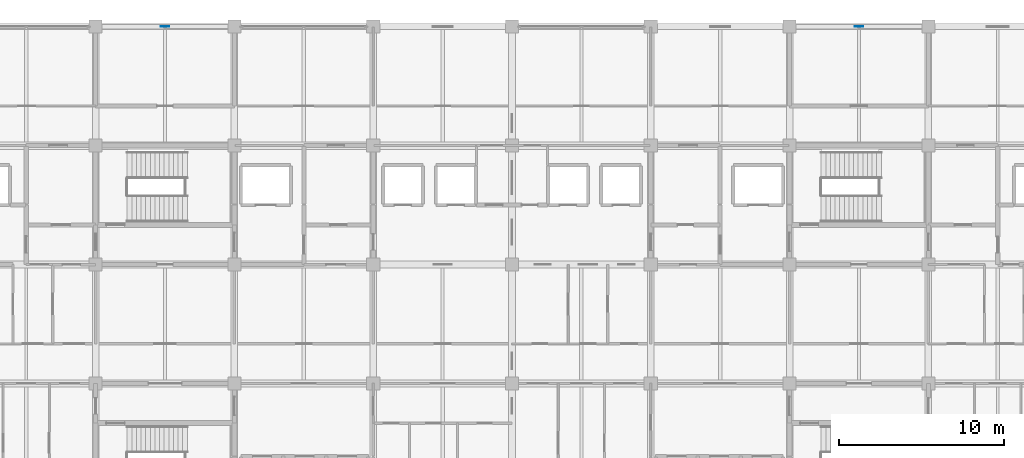
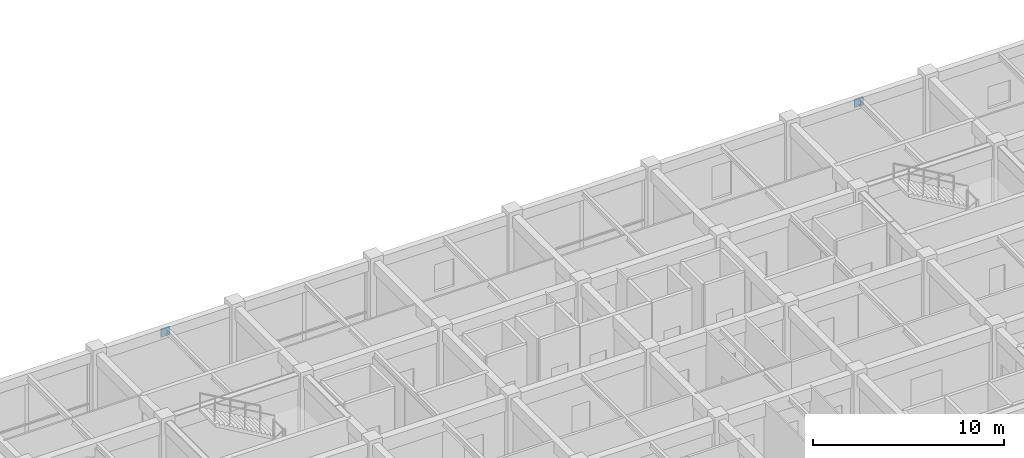
# One storey, part 14 of 30: 2 plates.
"""IFC4 building model written with IfcOpenShell, lengths in metres."""

from ifc_helpers import new_model, si_unit, direction, frame, origin, origin_2d, place, context, subcontext, project, spatial, rectangle, extrude, material, layer, layer_set, type_object, element, save


model = new_model("IFC4")

# Units and contexts
model_context = context("Model", 3, precision=1e-05, world=origin(), true_north=direction((0.0, 1.0)))
body_context = subcontext(model_context, "Body", "Model", "MODEL_VIEW")
ifc_project = project(units=[si_unit("LENGTHUNIT", "METRE"), si_unit("AREAUNIT", "SQUARE_METRE"), si_unit("VOLUMEUNIT", "CUBIC_METRE"), si_unit("PLANEANGLEUNIT", "RADIAN"), si_unit("MASSUNIT", "GRAM", prefix="KILO")], contexts=[model_context])

# Site, building, storey
site_placement = place(None, origin())
site = spatial("IfcSite", under=ifc_project, at=site_placement, CompositionType="ELEMENT")
building_placement = place(site_placement, origin())
building = spatial("IfcBuilding", under=site, at=building_placement, Name="Chengyuan Square Courthouse", CompositionType="ELEMENT")
storey_placement = place(building_placement, frame((0.0, 0.0, 30.60009765625)))
storey = spatial("IfcBuildingStorey", under=building, at=storey_placement, Name="L07", CompositionType="ELEMENT", Elevation=30.60009765625)

# Plates
ifc_material = material(Name="Steel Q355B", Category="steel")
ifc_layer = layer(ifc_material, 0.0400390625)
ifc_layer_set = layer_set([ifc_layer], Name="Steel Q355B")
plate_type = type_object("IfcPlateType", Name="GP-03", PredefinedType="SHEET", material=ifc_layer_set)
for number, where, z_axis, x_axis, name in (
    (1, (63.0, 115.199951171875, 3.619873046875), (0.0, 0.0, 1.0), (1.0, 0.0, 0.0), "Brace Gusset Plate GP-L07-07"),
    (2, (105.0, 115.199951171875, 3.619873046875), (0.0, 0.0, 1.0), (1.0, 0.0, 0.0), "Brace Gusset Plate GP-L07-12"),
):
    element("IfcPlate", number, at=place(storey_placement, frame(where, z_axis=z_axis, x_axis=x_axis)), inside=storey, type_object=plate_type, Name=name, PredefinedType="SHEET", context=body_context, shape_type="SweptSolid", body=[
        extrude(rectangle(XDim=0.5400390625, YDim=0.0400390625, at=origin_2d()), origin(), (0.0, 0.0, 1.0), 0.5400390625),
    ])

save(model, "model.ifc")
